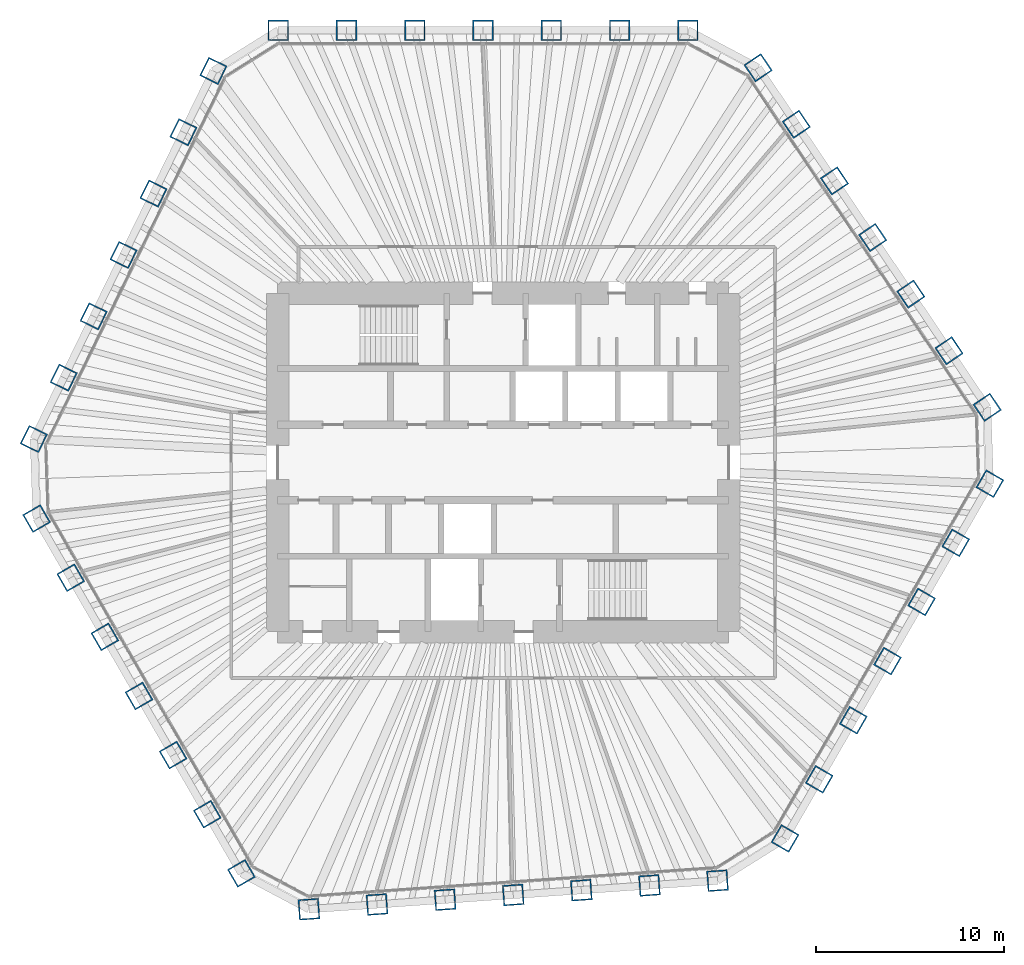
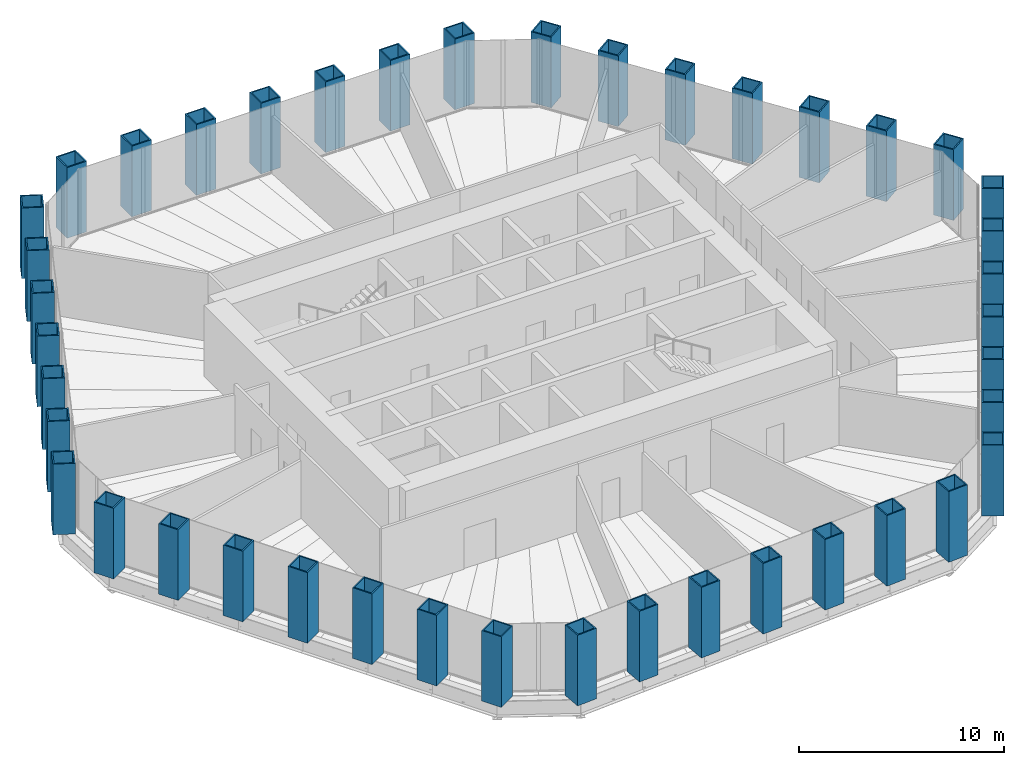
# One storey, part 1 of 13: 42 columns.
"""IFC4 building model written with IfcOpenShell, lengths in metres."""

from ifc_helpers import new_model, si_unit, direction, frame, origin, origin_2d, place, context, subcontext, project, spatial, hollow_rectangle, extrude, material, material_profile, profile_set, type_object, element, save


model = new_model("IFC4")

# Units and contexts
model_context = context("Model", 3, precision=1e-05, world=origin(), true_north=direction((0.0, 1.0)))
body_context = subcontext(model_context, "Body", "Model", "MODEL_VIEW")
ifc_project = project(units=[si_unit("LENGTHUNIT", "METRE"), si_unit("AREAUNIT", "SQUARE_METRE"), si_unit("VOLUMEUNIT", "CUBIC_METRE"), si_unit("PLANEANGLEUNIT", "RADIAN"), si_unit("MASSUNIT", "GRAM", prefix="KILO")], contexts=[model_context])

# Site, building, storey
site_placement = place(None, origin())
site = spatial("IfcSite", under=ifc_project, at=site_placement, CompositionType="ELEMENT")
building_placement = place(site_placement, origin())
building = spatial("IfcBuilding", under=site, at=building_placement, Name="Qingtian Harvest Tower", CompositionType="ELEMENT")
storey_placement = place(building_placement, frame((0.0, 0.0, 214.0)))
storey = spatial("IfcBuildingStorey", under=building, at=storey_placement, Name="L46", CompositionType="ELEMENT", Elevation=214.0)

# Columns
ifc_material = material(Name="Steel SM570MC", Category="steel")
ifc_material_profile = material_profile(ifc_material, hollow_rectangle(XDim=1.10009765625, YDim=1.10009765625, WallThickness=0.070068359375, at=origin_2d()), Name="BOX1100x1100x70")
ifc_profile_set = profile_set([ifc_material_profile], Name="Steel SM570MC")
column_type = type_object("IfcColumnType", Name="Tube column TC5 BOX1100x1100x70", PredefinedType="COLUMN", material=ifc_profile_set)
for number, where, z_axis, x_axis, name in (
    (1, (-11.971923828125, 23.0, 0.0), (0.0, 0.0, 1.0), (-1.0, 0.0, 0.0), "Tube column TC5 N0"),
    (2, (-8.33837890625, 23.0, 0.0), (0.0, 0.0, 1.0), (-1.0, 0.0, 0.0), "Tube column TC5 N1"),
    (3, (-4.704833984375, 23.0, 0.0), (0.0, 0.0, 1.0), (-1.0, 0.0, 0.0), "Tube column TC5 N2"),
    (4, (-1.0712890625, 23.0, 0.0), (0.0, 0.0, 1.0), (-1.0, 0.0, 0.0), "Tube column TC5 N3"),
    (5, (2.562255859375, 23.0, 0.0), (0.0, 0.0, 1.0), (-1.0, 0.0, 0.0), "Tube column TC5 N4"),
    (6, (6.19580078125, 23.0, 0.0), (0.0, 0.0, 1.0), (-1.0, 0.0, 0.0), "Tube column TC5 N5"),
    (7, (9.829345703125, 23.0, 0.0), (0.0, 0.0, 1.0), (-1.0, 0.0, 0.0), "Tube column TC5 N6"),
    (8, (13.5712890625, 21.01025390625, 0.0), (0.0, 0.0, 1.0), (-0.559192903471, 0.829037572555, 0.0), "Tube column TC5 NE0"),
    (9, (15.603271484375, 17.998046875, 0.0), (0.0, 0.0, 1.0), (-0.559192903471, 0.829037572555, 0.0), "Tube column TC5 NE1"),
    (10, (17.635009765625, 14.985595703125, 0.0), (0.0, 0.0, 1.0), (-0.559192903471, 0.829037572555, 0.0), "Tube column TC5 NE2"),
    (11, (19.6669921875, 11.97314453125, 0.0), (0.0, 0.0, 1.0), (-0.559192903471, 0.829037572555, 0.0), "Tube column TC5 NE3"),
    (12, (21.69873046875, 8.9609375, 0.0), (0.0, 0.0, 1.0), (-0.559192903471, 0.829037572555, 0.0), "Tube column TC5 NE4"),
    (13, (23.730712890625, 5.948486328125, 0.0), (0.0, 0.0, 1.0), (-0.559192903471, 0.829037572555, 0.0), "Tube column TC5 NE5"),
    (14, (25.762451171875, 2.936279296875, 0.0), (0.0, 0.0, 1.0), (-0.559192903471, 0.829037572555, 0.0), "Tube column TC5 NE6"),
    (15, (25.904541015625, -1.1318359375, 0.0), (0.0, 0.0, 1.0), (0.5, 0.866025403784, 0.0), "Tube column TC5 SE0"),
    (16, (24.087890625, -4.27880859375, 0.0), (0.0, 0.0, 1.0), (0.5, 0.866025403784, 0.0), "Tube column TC5 SE1"),
    (17, (22.27099609375, -7.425537109375, 0.0), (0.0, 0.0, 1.0), (0.5, 0.866025403784, 0.0), "Tube column TC5 SE2"),
    (18, (20.454345703125, -10.572265625, 0.0), (0.0, 0.0, 1.0), (0.5, 0.866025403784, 0.0), "Tube column TC5 SE3"),
    (19, (18.637451171875, -13.718994140625, 0.0), (0.0, 0.0, 1.0), (0.5, 0.866025403784, 0.0), "Tube column TC5 SE4"),
    (20, (16.82080078125, -16.86572265625, 0.0), (0.0, 0.0, 1.0), (0.5, 0.866025403784, 0.0), "Tube column TC5 SE5"),
    (21, (15.00390625, -20.012451171875, 0.0), (0.0, 0.0, 1.0), (0.5, 0.866025403784, 0.0), "Tube column TC5 SE6"),
    (22, (11.40966796875, -22.25830078125, 0.0), (0.0, 0.0, 1.0), (0.99756405026, 0.069756473744, 0.0), "Tube column TC5 S0"),
    (23, (7.78515625, -22.51171875, 0.0), (0.0, 0.0, 1.0), (0.99756405026, 0.069756473744, 0.0), "Tube column TC5 S1"),
    (24, (4.160400390625, -22.76513671875, 0.0), (0.0, 0.0, 1.0), (0.99756405026, 0.069756473744, 0.0), "Tube column TC5 S2"),
    (25, (0.53564453125, -23.018798828125, 0.0), (0.0, 0.0, 1.0), (0.99756405026, 0.069756473744, 0.0), "Tube column TC5 S3"),
    (26, (-3.089111328125, -23.272216796875, 0.0), (0.0, 0.0, 1.0), (0.99756405026, 0.069756473744, 0.0), "Tube column TC5 S4"),
    (27, (-6.713623046875, -23.525634765625, 0.0), (0.0, 0.0, 1.0), (0.99756405026, 0.069756473744, 0.0), "Tube column TC5 S5"),
    (28, (-10.33837890625, -23.779052734375, 0.0), (0.0, 0.0, 1.0), (0.99756405026, 0.069756473744, 0.0), "Tube column TC5 S6"),
    (29, (-13.9326171875, -21.8681640625, 0.0), (0.0, 0.0, 1.0), (0.5, -0.866025403784, 0.0), "Tube column TC5 SW0"),
    (30, (-15.749267578125, -18.72119140625, 0.0), (0.0, 0.0, 1.0), (0.5, -0.866025403784, 0.0), "Tube column TC5 SW1"),
    (31, (-17.566162109375, -15.574462890625, 0.0), (0.0, 0.0, 1.0), (0.5, -0.866025403784, 0.0), "Tube column TC5 SW2"),
    (32, (-19.3828125, -12.427734375, 0.0), (0.0, 0.0, 1.0), (0.5, -0.866025403784, 0.0), "Tube column TC5 SW3"),
    (33, (-21.19970703125, -9.281005859375, 0.0), (0.0, 0.0, 1.0), (0.5, -0.866025403784, 0.0), "Tube column TC5 SW4"),
    (34, (-23.016357421875, -6.13427734375, 0.0), (0.0, 0.0, 1.0), (0.5, -0.866025403784, 0.0), "Tube column TC5 SW5"),
    (35, (-24.833251953125, -2.987548828125, 0.0), (0.0, 0.0, 1.0), (0.5, -0.866025403784, 0.0), "Tube column TC5 SW6"),
    (36, (-24.981201171875, 1.248046875, 0.0), (0.0, 0.0, 1.0), (-0.438371146789, -0.898794046299, 0.0), "Tube column TC5 NW0"),
    (37, (-23.388427734375, 4.513916015625, 0.0), (0.0, 0.0, 1.0), (-0.438371146789, -0.898794046299, 0.0), "Tube column TC5 NW1"),
    (38, (-21.79541015625, 7.779541015625, 0.0), (0.0, 0.0, 1.0), (-0.438371146789, -0.898794046299, 0.0), "Tube column TC5 NW2"),
    (39, (-20.20263671875, 11.04541015625, 0.0), (0.0, 0.0, 1.0), (-0.438371146789, -0.898794046299, 0.0), "Tube column TC5 NW3"),
    (40, (-18.60986328125, 14.311279296875, 0.0), (0.0, 0.0, 1.0), (-0.438371146789, -0.898794046299, 0.0), "Tube column TC5 NW4"),
    (41, (-17.016845703125, 17.5771484375, 0.0), (0.0, 0.0, 1.0), (-0.438371146789, -0.898794046299, 0.0), "Tube column TC5 NW5"),
    (42, (-15.424072265625, 20.8427734375, 0.0), (0.0, 0.0, 1.0), (-0.438371146789, -0.898794046299, 0.0), "Tube column TC5 NW6"),
):
    element("IfcColumn", number, at=place(storey_placement, frame(where, z_axis=z_axis, x_axis=x_axis)), inside=storey, type_object=column_type, Name=name, PredefinedType="COLUMN", context=body_context, shape_type="SweptSolid", body=[
        extrude(hollow_rectangle(XDim=1.10009765625, YDim=1.10009765625, WallThickness=0.070068359375, at=origin_2d()), origin(), (0.0, 0.0, 1.0), 4.199951171875),
    ])

save(model, "model.ifc")
